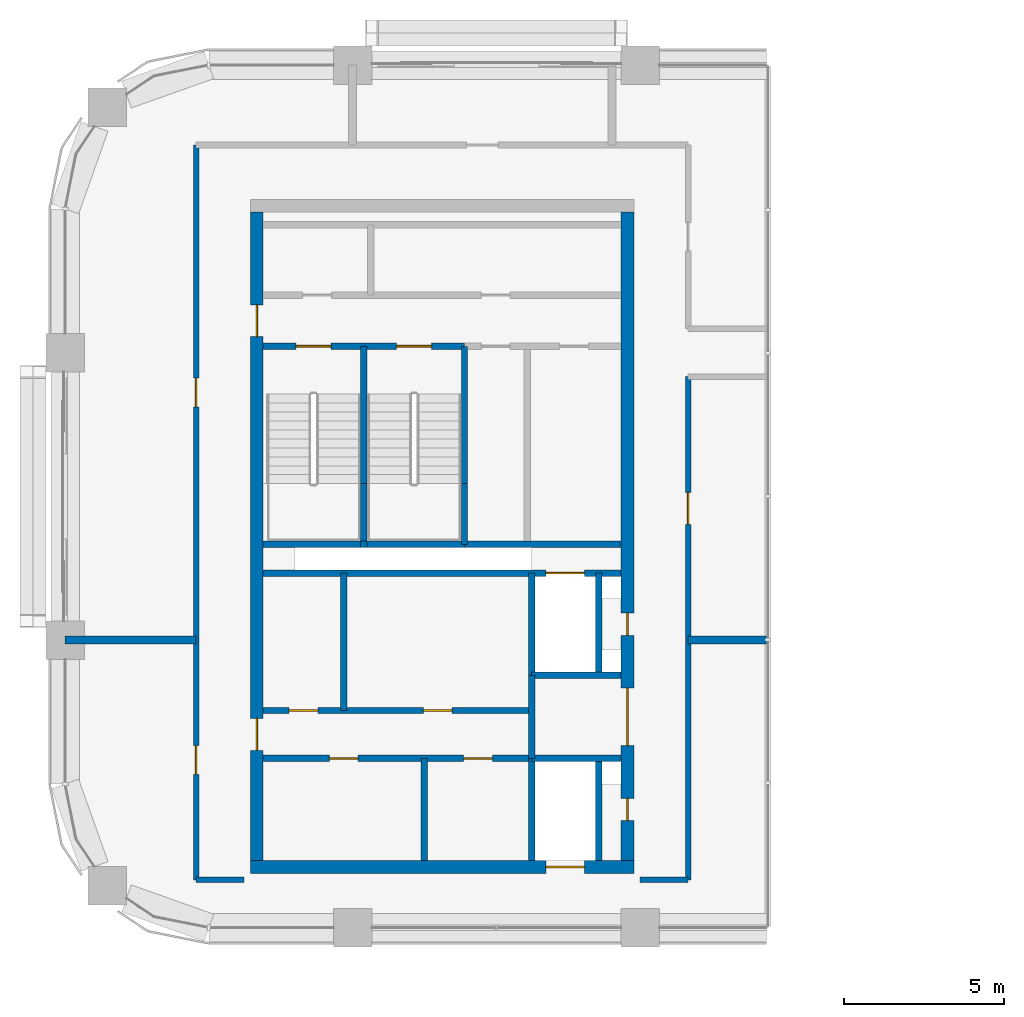
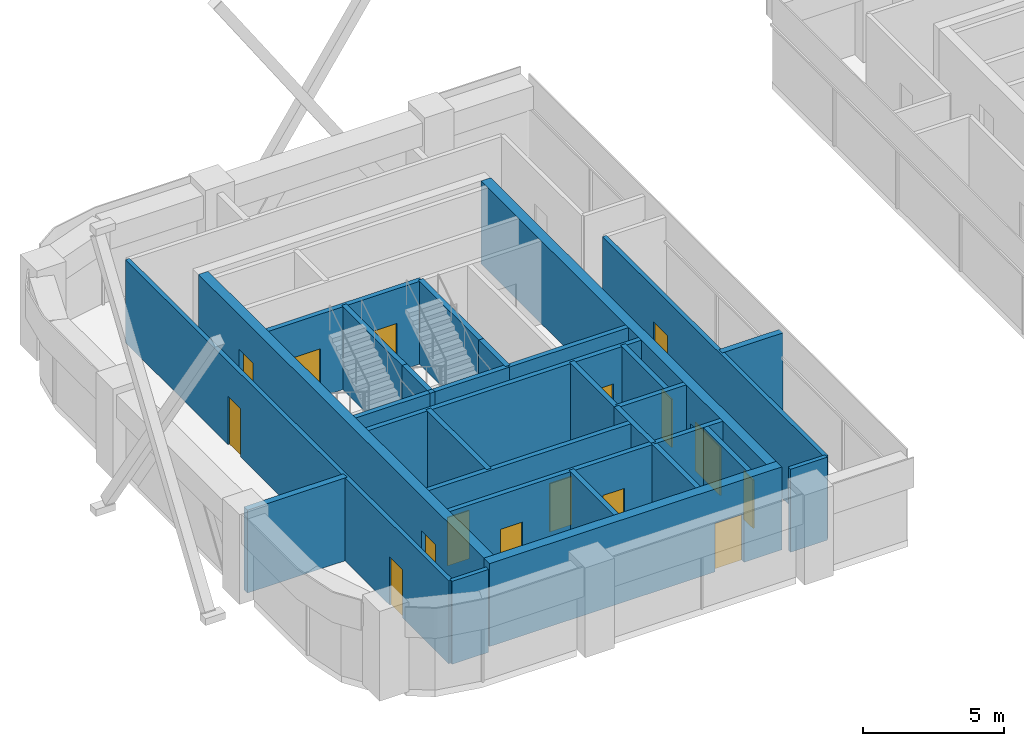
# One storey, part 9 of 14: 30 walls, 16 doors, 16 openings.
"""IFC4 building model written with IfcOpenShell, lengths in metres."""

import ifcopenshell
import ifcopenshell.guid

model = None  # the IFC model being written
_history = None  # IfcOwnerHistory: only IFC2X3 demands one
_inside = {}  # id of a spatial element -> (the spatial element, [elements in it])
_under = {}  # id of a project, library or spatial element -> (it, [spatial elements below it])
_declared = {}  # id of a project -> (the project, [libraries it declares])
_typed = {}  # id of a type object -> (the type object, [elements of that type])
_made_of = {}  # id of a material, layer set ... -> (it, [elements and type objects made of it])


def new_model(schema):
    """Start an empty IFC model of exactly this schema.

    Asked for "IFC4X3", IfcOpenShell would pick the latest addendum, in which some entities
    have other attributes; the version numbers below select the first issue.
    IFC2X3 requires an IfcOwnerHistory on every rooted entity: one is made here for all.
    """
    global model, _history
    if schema == "IFC4X3":
        model = ifcopenshell.file(schema_version=(4, 3, 0, 0))
    else:
        model = ifcopenshell.file(schema=schema)
    _inside.clear()
    _under.clear()
    _declared.clear()
    _typed.clear()
    _made_of.clear()
    _history = None
    if model.schema == "IFC2X3":
        org = make("IfcOrganization", Name="unknown")
        user = make(
            "IfcPersonAndOrganization",
            ThePerson=make("IfcPerson", FamilyName="unknown"),
            TheOrganization=org,
        )
        app = make(
            "IfcApplication",
            ApplicationDeveloper=org,
            Version="unknown",
            ApplicationFullName="unknown",
            ApplicationIdentifier="unknown",
        )
        _history = make(
            "IfcOwnerHistory",
            OwningUser=user,
            OwningApplication=app,
            ChangeAction="ADDED",
            CreationDate=0,
        )
    return model


def make(cls, **values):
    """One entity of the class cls with the attributes given. An attribute that is None is left unset."""
    return model.create_entity(
        cls, **{name: value for name, value in values.items() if value is not None}
    )


def rooted(cls, **values):
    """An entity with a GlobalId (a new one), such as an element, a storey or a relation."""
    return make(cls, GlobalId=ifcopenshell.guid.new(), OwnerHistory=_history, **values)


def si_unit(unit_type, name, prefix=None):
    """IfcSIUnit, for example si_unit("LENGTHUNIT", "METRE", prefix="MILLI")."""
    return make("IfcSIUnit", UnitType=unit_type, Prefix=prefix, Name=name)


def assignment(units):
    """IfcUnitAssignment: the units of a project."""
    return None if units is None else make("IfcUnitAssignment", Units=units)


def point(xyz):
    """IfcCartesianPoint."""
    return None if xyz is None else make("IfcCartesianPoint", Coordinates=xyz)


def direction(xyz):
    """IfcDirection."""
    return None if xyz is None else make("IfcDirection", DirectionRatios=xyz)


def frame(location, z_axis=None, x_axis=None):
    """IfcAxis2Placement3D, a coordinate frame: its origin and axes. An axis left out is left unset."""
    return make(
        "IfcAxis2Placement3D",
        Location=point(location),
        Axis=direction(z_axis),
        RefDirection=direction(x_axis),
    )


def frame_2d(location, x_axis=None):
    """IfcAxis2Placement2D, a coordinate frame in the plane: its origin and x axis."""
    return make(
        "IfcAxis2Placement2D", Location=point(location), RefDirection=direction(x_axis)
    )


def origin():
    """The frame at (0, 0, 0) with its axes left unset."""
    return frame((0.0, 0.0, 0.0))


def place(relative_to, where):
    """IfcLocalPlacement: puts the frame where relative to a parent placement (None: the world)."""
    return make(
        "IfcLocalPlacement", PlacementRelTo=relative_to, RelativePlacement=where
    )


def context(
    kind, dimensions, precision=None, world=None, true_north=None, identifier=None
):
    """IfcGeometricRepresentationContext, for example the 3D "Model" context."""
    return make(
        "IfcGeometricRepresentationContext",
        ContextIdentifier=identifier,
        ContextType=kind,
        CoordinateSpaceDimension=dimensions,
        Precision=precision,
        WorldCoordinateSystem=world,
        TrueNorth=true_north,
    )


def subcontext(parent, identifier, kind, view, scale=None):
    """IfcGeometricRepresentationSubContext, for example "Body" below "Model"."""
    return make(
        "IfcGeometricRepresentationSubContext",
        ContextIdentifier=identifier,
        ContextType=kind,
        ParentContext=parent,
        TargetScale=scale,
        TargetView=view,
    )


def project(units=None, contexts=None):
    """IfcProject with its units and contexts."""
    return rooted(
        "IfcProject",
        Name="project",
        RepresentationContexts=contexts,
        UnitsInContext=assignment(units),
    )


def spatial(cls, under=None, at=None, **own):
    """A site, building, storey or space (cls), placed at a placement, below another one or the project."""
    s = rooted(cls, ObjectPlacement=at, **own)
    if under is not None:
        _under.setdefault(under.id(), (under, []))[1].append(s)
    return s


def profile(cls, at=None, kind="AREA", **sizes):
    """A parametric profile (cls). Its sizes go by their IFC names, for example OverallWidth=200.0."""
    return make(cls, ProfileType=kind, Position=at, **sizes)


def rectangle(**sizes):
    """IfcRectangleProfileDef."""
    return profile("IfcRectangleProfileDef", **sizes)


def extrude(swept, where, along, depth):
    """IfcExtrudedAreaSolid: the profile swept, set in the frame where, extruded along a direction by depth."""
    return make(
        "IfcExtrudedAreaSolid",
        SweptArea=swept,
        Position=where,
        ExtrudedDirection=direction(along),
        Depth=depth,
    )


def shape(context_of_items, identifier, shape_type, items):
    """IfcShapeRepresentation: the items that make up one representation, for example the "Body"."""
    return make(
        "IfcShapeRepresentation",
        ContextOfItems=context_of_items,
        RepresentationIdentifier=identifier,
        RepresentationType=shape_type,
        Items=items,
    )


def material(Name=None, Category=None):
    """IfcMaterial."""
    return make("IfcMaterial", Name=Name, Category=Category)


def layer(
    of_material, thickness, ventilated=None, Name=None, Category=None, Priority=None
):
    """IfcMaterialLayer: one layer of a wall or slab, of a material (None: an air gap)."""
    return make(
        "IfcMaterialLayer",
        Material=of_material,
        LayerThickness=thickness,
        IsVentilated=ventilated,
        Name=Name,
        Category=Category,
        Priority=Priority,
    )


def layer_set(layers, Name=None):
    """IfcMaterialLayerSet."""
    return make("IfcMaterialLayerSet", MaterialLayers=layers, LayerSetName=Name)


def made_of(thing, what):
    """Note that an element or type object is made of a material, layer set ...; save() writes the relation."""
    if what is not None:
        _made_of.setdefault(what.id(), (what, []))[1].append(thing)
    return thing


def type_object(cls, material=None, **own):
    """A type object (cls), such as IfcWallType, which elements share."""
    return made_of(rooted(cls, **own), material)


def element(
    cls,
    number,
    at=None,
    inside=None,
    cuts=None,
    type_object=None,
    material=None,
    context=None,
    identifier="Body",
    shape_type=None,
    held_by="IfcProductDefinitionShape",
    body=None,
    shapes=None,
    **own,
):
    """One element of the class cls, such as IfcWall. Its Tag is "e" and its number.

    at: its placement. inside: the storey or other place that contains it. cuts: it is an
    opening in that element (IfcRelVoidsElement). A single representation is given by context,
    identifier, shape_type and body (its items); several are given by shapes. held_by: the class
    of the entity that holds the representations. save() writes the other relations.
    """
    e = rooted(cls, Tag="e%d" % number, ObjectPlacement=at, **own)
    if body is not None:
        shapes = [shape(context, identifier, shape_type, body)]
    if shapes is not None:
        e.Representation = make(held_by, Representations=shapes)
    if inside is not None:
        _inside.setdefault(inside.id(), (inside, []))[1].append(e)
    if cuts is not None:
        rooted(
            "IfcRelVoidsElement", RelatingBuildingElement=cuts, RelatedOpeningElement=e
        )
    if type_object is not None:
        _typed.setdefault(type_object.id(), (type_object, []))[1].append(e)
    return made_of(e, material)


def fill(opening, filler):
    """IfcRelFillsElement: the door or window that sits in an opening."""
    return rooted(
        "IfcRelFillsElement",
        RelatingOpeningElement=opening,
        RelatedBuildingElement=filler,
    )


def aggregate(whole, parts):
    """IfcRelAggregates: a whole, such as a stair, and the parts it consists of."""
    return rooted("IfcRelAggregates", RelatingObject=whole, RelatedObjects=parts)


def save(model, path):
    """Write the relations noted so far, then the file.

    IfcRelAggregates (storeys below a building ...), IfcRelContainedInSpatialStructure (elements
    in a storey), IfcRelDefinesByType, IfcRelAssociatesMaterial and IfcRelDeclares: one each for
    every whole, place, type object, material and project.
    """
    for whole, parts in _under.values():
        aggregate(whole, parts)
    for where, things in _inside.values():
        rooted(
            "IfcRelContainedInSpatialStructure",
            RelatedElements=things,
            RelatingStructure=where,
        )
    for kind, things in _typed.values():
        rooted("IfcRelDefinesByType", RelatedObjects=things, RelatingType=kind)
    for what, things in _made_of.values():
        rooted("IfcRelAssociatesMaterial", RelatedObjects=things, RelatingMaterial=what)
    for by, libraries in _declared.values():
        rooted("IfcRelDeclares", RelatingContext=by, RelatedDefinitions=libraries)
    model.write(path)


model = new_model("IFC4")

# Units and contexts
model_context = context("Model", 3, precision=1e-05, world=origin(), true_north=direction((0.0, 1.0)))
body_context = subcontext(model_context, "Body", "Model", "MODEL_VIEW")
ifc_project = project(units=[si_unit("LENGTHUNIT", "METRE"), si_unit("AREAUNIT", "SQUARE_METRE"), si_unit("VOLUMEUNIT", "CUBIC_METRE"), si_unit("PLANEANGLEUNIT", "RADIAN"), si_unit("MASSUNIT", "GRAM", prefix="KILO")], contexts=[model_context])

# Site, building, storey
site_placement = place(None, origin())
site = spatial("IfcSite", under=ifc_project, at=site_placement, CompositionType="ELEMENT")
building_placement = place(site_placement, origin())
building = spatial("IfcBuilding", under=site, at=building_placement, Name="Tessera Arch", CompositionType="ELEMENT")
storey_placement = place(building_placement, frame((0.0, 0.0, 215.0)))
storey = spatial("IfcBuildingStorey", under=building, at=storey_placement, Name="L51", CompositionType="ELEMENT", Elevation=215.0)

# Walls
ifc_material_1 = material(Name="Gypsum board on steel stud", Category="steel")
ifc_layer_1 = layer(ifc_material_1, 0.125)
ifc_layer_set_1 = layer_set([ifc_layer_1], Name="Core partition 125 EI 60")
wall_type_1 = type_object("IfcWallType", Name="Core partition 125 EI 60", PredefinedType="PARTITIONING", material=ifc_layer_set_1)
wall_1_placement = place(storey_placement, frame((8.719970703125, 33.800048828125, 0.0), z_axis=(0.0, 0.0, 1.0), x_axis=(0.0, 1.0, 0.0)))
element("IfcWall", 1, at=wall_1_placement, inside=storey, type_object=wall_type_1, Name="L51 C2 partition wall 1", PredefinedType="PARTITIONING", context=body_context, shape_type="SweptSolid", body=[
    extrude(rectangle(XDim=4.300048828125, YDim=0.199951171875, at=frame_2d((2.14990234375, 0.0))), origin(), (0.0, 0.0, 1.0), 3.60009765625),
])
wall_2_placement = place(storey_placement, frame((11.239990234375, 29.10009765625, 0.0), z_axis=(0.0, 0.0, 1.0), x_axis=(0.0, 1.0, 0.0)))
element("IfcWall", 2, at=wall_2_placement, inside=storey, type_object=wall_type_1, Name="L51 C2 partition wall 5", PredefinedType="PARTITIONING", context=body_context, shape_type="SweptSolid", body=[
    extrude(rectangle(XDim=3.199951171875, YDim=0.199951171875, at=frame_2d((1.60009765625, 0.0))), origin(), (0.0, 0.0, 1.0), 3.60009765625),
])
wall_3_placement = place(storey_placement, frame((14.60009765625, 32.300048828125, 0.0), z_axis=(0.0, 0.0, 1.0), x_axis=(0.0, 1.0, 0.0)))
element("IfcWall", 3, at=wall_3_placement, inside=storey, type_object=wall_type_1, Name="L51 C2 partition wall 9", PredefinedType="PARTITIONING", context=body_context, shape_type="SweptSolid", body=[
    extrude(rectangle(XDim=2.599853515625, YDim=0.199951171875, at=frame_2d((1.2998046875, 0.0))), origin(), (0.0, 0.0, 1.0), 3.60009765625),
])

# Wall, openings, doors
wall_4_placement = place(storey_placement, frame((6.199951171875, 32.300048828125, 0.0), z_axis=(0.0, 0.0, 1.0), x_axis=(1.0, 0.0, 0.0)))
wall_4 = element("IfcWall", 4, at=wall_4_placement, inside=storey, type_object=wall_type_1, Name="L51 C2 partition wall 14", PredefinedType="PARTITIONING", context=body_context, shape_type="SweptSolid", body=[
    extrude(rectangle(XDim=8.400146484375, YDim=0.199951171875, at=frame_2d((4.2001953125, 0.0))), origin(), (0.0, 0.0, 1.0), 3.60009765625),
])
opening_1_placement = place(wall_4_placement, frame((2.070068359375, 0.0, 0.0)))
opening_1 = element("IfcOpeningElement", 5, at=opening_1_placement, cuts=wall_4, Name="Opening L51-C33", PredefinedType="OPENING", context=body_context, shape_type="SweptSolid", body=[
    extrude(rectangle(XDim=0.89990234375, YDim=2.10009765625, at=frame_2d((0.449951171875, 1.050048828125))), frame((0.0, 0.10986328125, 0.0), z_axis=(0.0, -1.0, 0.0), x_axis=(1.0, 0.0, 0.0)), (0.0, 0.0, 1.0), 0.219970703125),
])
opening_2_placement = place(wall_4_placement, frame((6.27001953125, 0.0, 0.0)))
opening_2 = element("IfcOpeningElement", 6, at=opening_2_placement, cuts=wall_4, Name="Opening L51-C34", PredefinedType="OPENING", context=body_context, shape_type="SweptSolid", body=[
    extrude(rectangle(XDim=0.89990234375, YDim=2.10009765625, at=frame_2d((0.449951171875, 1.050048828125))), frame((0.0, 0.10986328125, 0.0), z_axis=(0.0, -1.0, 0.0), x_axis=(1.0, 0.0, 0.0)), (0.0, 0.0, 1.0), 0.219970703125),
])
ifc_material_2 = material(Name="Steel door leaf", Category="steel")
door_type_1 = type_object("IfcDoorType", Name="Store door FD30S 900 x 2100", OperationType="SINGLE_SWING_LEFT", PredefinedType="DOOR", material=ifc_material_2)
door_1_placement = place(opening_1_placement, origin())
door_1 = element("IfcDoor", 7, at=door_1_placement, inside=storey, type_object=door_type_1, Name="L51 C2 door 14 C33 type D09", OperationType="SINGLE_SWING_LEFT", OverallHeight=2.10009765625, OverallWidth=0.89990234375, PredefinedType="DOOR", context=body_context, shape_type="SweptSolid", body=[
    extrude(rectangle(XDim=0.89990234375, YDim=2.10009765625, at=frame_2d((0.449951171875, 1.050048828125))), frame((0.0, 0.02490234375, 0.0), z_axis=(0.0, -1.0, 0.0), x_axis=(1.0, 0.0, 0.0)), (0.0, 0.0, 1.0), 0.050048828125),
])
fill(opening_1, door_1)
door_2_placement = place(opening_2_placement, origin())
door_2 = element("IfcDoor", 8, at=door_2_placement, inside=storey, type_object=door_type_1, Name="L51 C2 door 15 C34 type D09", OperationType="SINGLE_SWING_RIGHT", OverallHeight=2.10009765625, OverallWidth=0.89990234375, PredefinedType="DOOR", context=body_context, shape_type="SweptSolid", body=[
    extrude(rectangle(XDim=0.89990234375, YDim=2.10009765625, at=frame_2d((0.449951171875, 1.050048828125))), frame((0.0, 0.02490234375, 0.0), z_axis=(0.0, -1.0, 0.0), x_axis=(1.0, 0.0, 0.0)), (0.0, 0.0, 1.0), 0.050048828125),
])
fill(opening_2, door_2)

wall_5_placement = place(storey_placement, frame((6.199951171875, 33.800048828125, 0.0), z_axis=(0.0, 0.0, 1.0), x_axis=(1.0, 0.0, 0.0)))
wall_5 = element("IfcWall", 9, at=wall_5_placement, inside=storey, type_object=wall_type_1, Name="L51 C2 partition wall 16", PredefinedType="PARTITIONING", context=body_context, shape_type="SweptSolid", body=[
    extrude(rectangle(XDim=8.400146484375, YDim=0.199951171875, at=frame_2d((4.2001953125, 0.0))), origin(), (0.0, 0.0, 1.0), 3.60009765625),
])
opening_3_placement = place(wall_5_placement, frame((0.81005859375, 0.0, 0.0)))
opening_3 = element("IfcOpeningElement", 10, at=opening_3_placement, cuts=wall_5, Name="Opening L51-C35", PredefinedType="OPENING", context=body_context, shape_type="SweptSolid", body=[
    extrude(rectangle(XDim=0.89990234375, YDim=2.10009765625, at=frame_2d((0.449951171875, 1.050048828125))), frame((0.0, 0.10986328125, 0.0), z_axis=(0.0, -1.0, 0.0), x_axis=(1.0, 0.0, 0.0)), (0.0, 0.0, 1.0), 0.219970703125),
])
opening_4_placement = place(wall_5_placement, frame((5.010009765625, 0.0, 0.0)))
opening_4 = element("IfcOpeningElement", 11, at=opening_4_placement, cuts=wall_5, Name="Opening L51-C36", PredefinedType="OPENING", context=body_context, shape_type="SweptSolid", body=[
    extrude(rectangle(XDim=0.89990234375, YDim=2.10009765625, at=frame_2d((0.449951171875, 1.050048828125))), frame((0.0, 0.10986328125, 0.0), z_axis=(0.0, -1.0, 0.0), x_axis=(1.0, 0.0, 0.0)), (0.0, 0.0, 1.0), 0.219970703125),
])
door_3_placement = place(opening_3_placement, origin())
door_3 = element("IfcDoor", 12, at=door_3_placement, inside=storey, type_object=door_type_1, Name="L51 C2 door 16 C35 type D09", OperationType="SINGLE_SWING_LEFT", OverallHeight=2.10009765625, OverallWidth=0.89990234375, PredefinedType="DOOR", context=body_context, shape_type="SweptSolid", body=[
    extrude(rectangle(XDim=0.89990234375, YDim=2.10009765625, at=frame_2d((0.449951171875, 1.050048828125))), frame((0.0, 0.02490234375, 0.0), z_axis=(0.0, -1.0, 0.0), x_axis=(1.0, 0.0, 0.0)), (0.0, 0.0, 1.0), 0.050048828125),
])
fill(opening_3, door_3)
door_4_placement = place(opening_4_placement, origin())
door_4 = element("IfcDoor", 13, at=door_4_placement, inside=storey, type_object=door_type_1, Name="L51 C2 door 17 C36 type D09", OperationType="SINGLE_SWING_RIGHT", OverallHeight=2.10009765625, OverallWidth=0.89990234375, PredefinedType="DOOR", context=body_context, shape_type="SweptSolid", body=[
    extrude(rectangle(XDim=0.89990234375, YDim=2.10009765625, at=frame_2d((0.449951171875, 1.050048828125))), frame((0.0, 0.02490234375, 0.0), z_axis=(0.0, -1.0, 0.0), x_axis=(1.0, 0.0, 0.0)), (0.0, 0.0, 1.0), 0.050048828125),
])
fill(opening_4, door_4)

# Wall, opening, door
ifc_material_3 = material(Name="Concrete C50/60", Category="concrete")
ifc_layer_2 = layer(ifc_material_3, 0.39990234375)
ifc_layer_set_2 = layer_set([ifc_layer_2], Name="Core shell wall 400 C50-60")
wall_type_2 = type_object("IfcWallType", Name="Core shell wall 400 C50-60", PredefinedType="SHEAR", material=ifc_layer_set_2)
wall_6_placement = place(storey_placement, frame((5.800048828125, 28.89990234375, 0.0), z_axis=(0.0, 0.0, 1.0), x_axis=(1.0, 0.0, 0.0)))
wall_6 = element("IfcWall", 14, at=wall_6_placement, inside=storey, type_object=wall_type_2, Name="L51 C2 core wall S", PredefinedType="SHEAR", context=body_context, shape_type="SweptSolid", body=[
    extrude(rectangle(XDim=12.0, YDim=0.39990234375, at=frame_2d((6.0, 0.0))), origin(), (0.0, 0.0, 1.0), 3.60009765625),
])
opening_5_placement = place(wall_6_placement, frame((9.25, 0.0, 0.0)))
opening_5 = element("IfcOpeningElement", 15, at=opening_5_placement, cuts=wall_6, Name="Opening L51-C20", PredefinedType="OPENING", context=body_context, shape_type="SweptSolid", body=[
    extrude(rectangle(XDim=1.199951171875, YDim=2.10009765625, at=frame_2d((0.60009765625, 1.050048828125))), frame((0.0, 0.2099609375, 0.0), z_axis=(0.0, -1.0, 0.0), x_axis=(1.0, 0.0, 0.0)), (0.0, 0.0, 1.0), 0.419921875),
])
ifc_material_4 = material(Name="Stainless steel AISI 304", Category="steel")
door_type_2 = type_object("IfcDoorType", Name="Sliding landing door 1200 x 2100", OperationType="SLIDING_TO_LEFT", PredefinedType="DOOR", material=ifc_material_4)
door_5_placement = place(opening_5_placement, origin())
door_5 = element("IfcDoor", 16, at=door_5_placement, inside=storey, type_object=door_type_2, Name="L51 HR7 lift landing door C20 type LD", OperationType="SLIDING_TO_LEFT", OverallHeight=2.10009765625, OverallWidth=1.199951171875, PredefinedType="DOOR", context=body_context, shape_type="SweptSolid", body=[
    extrude(rectangle(XDim=1.199951171875, YDim=2.10009765625, at=frame_2d((0.60009765625, 1.050048828125))), frame((0.0, 0.02490234375, 0.0), z_axis=(0.0, -1.0, 0.0), x_axis=(1.0, 0.0, 0.0)), (0.0, 0.0, 1.0), 0.050048828125),
])
fill(opening_5, door_5)

# Wall, openings, doors
wall_7_placement = place(storey_placement, frame((6.0, 29.10009765625, 0.0), z_axis=(0.0, 0.0, 1.0), x_axis=(0.0, 1.0, 0.0)))
wall_7 = element("IfcWall", 17, at=wall_7_placement, inside=storey, type_object=wall_type_2, Name="L51 C2 core wall W", PredefinedType="SHEAR", context=body_context, shape_type="SweptSolid", body=[
    extrude(rectangle(XDim=20.2998046875, YDim=0.39990234375, at=frame_2d((10.14990234375, 0.0))), origin(), (0.0, 0.0, 1.0), 3.60009765625),
])
opening_6_placement = place(wall_7_placement, frame((3.449951171875, 0.0, 0.0)))
opening_6 = element("IfcOpeningElement", 18, at=opening_6_placement, cuts=wall_7, Name="Opening L51-C27", PredefinedType="OPENING", context=body_context, shape_type="SweptSolid", body=[
    extrude(rectangle(XDim=1.0, YDim=2.10009765625, at=frame_2d((0.5, 1.050048828125))), frame((0.0, 0.2099609375, 0.0), z_axis=(0.0, -1.0, 0.0), x_axis=(1.0, 0.0, 0.0)), (0.0, 0.0, 1.0), 0.419921875),
])
opening_7_placement = place(wall_7_placement, frame((16.39990234375, 0.0, 0.0)))
opening_7 = element("IfcOpeningElement", 19, at=opening_7_placement, cuts=wall_7, Name="Opening L51-C28", PredefinedType="OPENING", context=body_context, shape_type="SweptSolid", body=[
    extrude(rectangle(XDim=1.0, YDim=2.10009765625, at=frame_2d((0.5, 1.050048828125))), frame((0.0, 0.2099609375, 0.0), z_axis=(0.0, -1.0, 0.0), x_axis=(1.0, 0.0, 0.0)), (0.0, 0.0, 1.0), 0.419921875),
])
ifc_material_5 = material(Name="Steel door leaf", Category="steel")
door_type_3 = type_object("IfcDoorType", Name="Corridor door FD60 1000 x 2100", OperationType="SINGLE_SWING_LEFT", PredefinedType="DOOR", material=ifc_material_5)
door_6_placement = place(opening_6_placement, origin())
door_6 = element("IfcDoor", 20, at=door_6_placement, inside=storey, type_object=door_type_3, Name="L51 C2 door 8 C27 type D12", OperationType="SINGLE_SWING_LEFT", OverallHeight=2.10009765625, OverallWidth=1.0, PredefinedType="DOOR", context=body_context, shape_type="SweptSolid", body=[
    extrude(rectangle(XDim=1.0, YDim=2.10009765625, at=frame_2d((0.5, 1.050048828125))), frame((0.0, 0.02490234375, 0.0), z_axis=(0.0, -1.0, 0.0), x_axis=(1.0, 0.0, 0.0)), (0.0, 0.0, 1.0), 0.050048828125),
])
fill(opening_6, door_6)
door_7_placement = place(opening_7_placement, origin())
door_7 = element("IfcDoor", 21, at=door_7_placement, inside=storey, type_object=door_type_3, Name="L51 C2 door 9 C28 type D12", OperationType="SINGLE_SWING_RIGHT", OverallHeight=2.10009765625, OverallWidth=1.0, PredefinedType="DOOR", context=body_context, shape_type="SweptSolid", body=[
    extrude(rectangle(XDim=1.0, YDim=2.10009765625, at=frame_2d((0.5, 1.050048828125))), frame((0.0, 0.02490234375, 0.0), z_axis=(0.0, -1.0, 0.0), x_axis=(1.0, 0.0, 0.0)), (0.0, 0.0, 1.0), 0.050048828125),
])
fill(opening_7, door_7)

wall_8_placement = place(storey_placement, frame((17.60009765625, 29.10009765625, 0.0), z_axis=(0.0, 0.0, 1.0), x_axis=(0.0, 1.0, 0.0)))
wall_8 = element("IfcWall", 22, at=wall_8_placement, inside=storey, type_object=wall_type_2, Name="L51 C2 core wall E", PredefinedType="SHEAR", context=body_context, shape_type="SweptSolid", body=[
    extrude(rectangle(XDim=20.2998046875, YDim=0.39990234375, at=frame_2d((10.14990234375, 0.0))), origin(), (0.0, 0.0, 1.0), 3.60009765625),
])
opening_8_placement = place(wall_8_placement, frame((1.25, 0.0, 0.0)))
opening_8 = element("IfcOpeningElement", 23, at=opening_8_placement, cuts=wall_8, Name="Opening L51-C22", PredefinedType="OPENING", context=body_context, shape_type="SweptSolid", body=[
    extrude(rectangle(XDim=0.699951171875, YDim=2.10009765625, at=frame_2d((0.35009765625, 1.050048828125))), frame((0.0, 0.2099609375, 0.0), z_axis=(0.0, -1.0, 0.0), x_axis=(1.0, 0.0, 0.0)), (0.0, 0.0, 1.0), 0.419921875),
])
opening_9_placement = place(wall_8_placement, frame((7.050048828125, 0.0, 0.0)))
opening_9 = element("IfcOpeningElement", 24, at=opening_9_placement, cuts=wall_8, Name="Opening L51-C23", PredefinedType="OPENING", context=body_context, shape_type="SweptSolid", body=[
    extrude(rectangle(XDim=0.699951171875, YDim=2.10009765625, at=frame_2d((0.35009765625, 1.050048828125))), frame((0.0, 0.2099609375, 0.0), z_axis=(0.0, -1.0, 0.0), x_axis=(1.0, 0.0, 0.0)), (0.0, 0.0, 1.0), 0.419921875),
])
opening_10_placement = place(wall_8_placement, frame((3.60009765625, 0.0, 0.0)))
opening_10 = element("IfcOpeningElement", 25, at=opening_10_placement, cuts=wall_8, Name="Opening L51-C26", PredefinedType="OPENING", context=body_context, shape_type="SweptSolid", body=[
    extrude(rectangle(XDim=1.800048828125, YDim=2.10009765625, at=frame_2d((0.89990234375, 1.050048828125))), frame((0.0, 0.2099609375, 0.0), z_axis=(0.0, -1.0, 0.0), x_axis=(1.0, 0.0, 0.0)), (0.0, 0.0, 1.0), 0.419921875),
])
ifc_material_6 = material(Name="Glazed steel door leaf", Category="steel")
door_type_4 = type_object("IfcDoorType", Name="Lobby double door FD30S 1800 x 2100", OperationType="DOUBLE_DOOR_SINGLE_SWING", PredefinedType="DOOR", material=ifc_material_6)
door_8_placement = place(opening_10_placement, origin())
door_8 = element("IfcDoor", 26, at=door_8_placement, inside=storey, type_object=door_type_4, Name="L51 C2 door 7 C26 type D06", OperationType="DOUBLE_DOOR_SINGLE_SWING", OverallHeight=2.10009765625, OverallWidth=1.800048828125, PredefinedType="DOOR", context=body_context, shape_type="SweptSolid", body=[
    extrude(rectangle(XDim=1.800048828125, YDim=2.10009765625, at=frame_2d((0.89990234375, 1.050048828125))), frame((0.0, 0.02490234375, 0.0), z_axis=(0.0, -1.0, 0.0), x_axis=(1.0, 0.0, 0.0)), (0.0, 0.0, 1.0), 0.050048828125),
])
fill(opening_10, door_8)
ifc_material_7 = material(Name="Steel door leaf", Category="steel")
door_type_5 = type_object("IfcDoorType", Name="Service shaft door FD60 700 x 2100", OperationType="SINGLE_SWING_LEFT", PredefinedType="DOOR", material=ifc_material_7)
door_9_placement = place(opening_8_placement, origin())
door_9 = element("IfcDoor", 27, at=door_9_placement, inside=storey, type_object=door_type_5, Name="L51 C2 door 3 C22 type D07", OperationType="SINGLE_SWING_LEFT", OverallHeight=2.10009765625, OverallWidth=0.699951171875, PredefinedType="DOOR", context=body_context, shape_type="SweptSolid", body=[
    extrude(rectangle(XDim=0.699951171875, YDim=2.10009765625, at=frame_2d((0.35009765625, 1.050048828125))), frame((0.0, 0.02490234375, 0.0), z_axis=(0.0, -1.0, 0.0), x_axis=(1.0, 0.0, 0.0)), (0.0, 0.0, 1.0), 0.050048828125),
])
fill(opening_8, door_9)
door_10_placement = place(opening_9_placement, origin())
door_10 = element("IfcDoor", 28, at=door_10_placement, inside=storey, type_object=door_type_5, Name="L51 C2 door 4 C23 type D07", OperationType="SINGLE_SWING_LEFT", OverallHeight=2.10009765625, OverallWidth=0.699951171875, PredefinedType="DOOR", context=body_context, shape_type="SweptSolid", body=[
    extrude(rectangle(XDim=0.699951171875, YDim=2.10009765625, at=frame_2d((0.35009765625, 1.050048828125))), frame((0.0, 0.02490234375, 0.0), z_axis=(0.0, -1.0, 0.0), x_axis=(1.0, 0.0, 0.0)), (0.0, 0.0, 1.0), 0.050048828125),
])
fill(opening_9, door_10)

# Walls
ifc_material_8 = material(Name="Gypsum board on deep steel stud with mineral wool", Category="steel")
ifc_layer_3 = layer(ifc_material_8, 0.175048828125)
ifc_layer_set_3 = layer_set([ifc_layer_3], Name="Corridor wall 175 EI 60")
wall_type_3 = type_object("IfcWallType", Name="Corridor wall 175 EI 60", PredefinedType="PARTITIONING", material=ifc_layer_set_3)
for number, where, z_axis, x_axis, name in (
    (29, (4.10009765625, 28.5, 0.0), (0.0, 0.0, 1.0), (1.0, 0.0, 0.0), "L51 partition 1"),
    (30, (18.0, 28.5, 0.0), (0.0, 0.0, 1.0), (1.0, 0.0, 0.0), "L51 partition 2"),
):
    element("IfcWall", number, at=place(storey_placement, frame(where, z_axis=z_axis, x_axis=x_axis)), inside=storey, type_object=wall_type_3, Name=name, PredefinedType="PARTITIONING", context=body_context, shape_type="SweptSolid", body=[
        extrude(rectangle(XDim=1.5, YDim=0.175048828125, at=frame_2d((0.75, 0.0))), origin(), (0.0, 0.0, 1.0), 3.60009765625),
    ])

# Wall, openings, doors
wall_9_placement = place(storey_placement, frame((4.10009765625, 28.5, 0.0), z_axis=(0.0, 0.0, 1.0), x_axis=(0.0, 1.0, 0.0)))
wall_9 = element("IfcWall", 31, at=wall_9_placement, inside=storey, type_object=wall_type_3, Name="L51 partition 11", PredefinedType="PARTITIONING", context=body_context, shape_type="SweptSolid", body=[
    extrude(rectangle(XDim=23.0, YDim=0.175048828125, at=frame_2d((11.5, 0.0))), origin(), (0.0, 0.0, 1.0), 3.60009765625),
])
opening_11_placement = place(wall_9_placement, frame((3.300048828125, 0.0, 0.0)))
opening_11 = element("IfcOpeningElement", 32, at=opening_11_placement, cuts=wall_9, Name="Opening L51-D001", PredefinedType="OPENING", context=body_context, shape_type="SweptSolid", body=[
    extrude(rectangle(XDim=0.89990234375, YDim=2.10009765625, at=frame_2d((0.449951171875, 1.050048828125))), frame((0.0, 0.097412109375, 0.0), z_axis=(0.0, -1.0, 0.0), x_axis=(1.0, 0.0, 0.0)), (0.0, 0.0, 1.0), 0.195068359375),
])
opening_12_placement = place(wall_9_placement, frame((14.800048828125, 0.0, 0.0)))
opening_12 = element("IfcOpeningElement", 33, at=opening_12_placement, cuts=wall_9, Name="Opening L51-D005", PredefinedType="OPENING", context=body_context, shape_type="SweptSolid", body=[
    extrude(rectangle(XDim=0.89990234375, YDim=2.10009765625, at=frame_2d((0.449951171875, 1.050048828125))), frame((0.0, 0.097412109375, 0.0), z_axis=(0.0, -1.0, 0.0), x_axis=(1.0, 0.0, 0.0)), (0.0, 0.0, 1.0), 0.195068359375),
])
ifc_material_9 = material(Name="Timber door leaf", Category="wood")
door_type_6 = type_object("IfcDoorType", Name="Room door 900 x 2100", OperationType="SINGLE_SWING_LEFT", PredefinedType="DOOR", material=ifc_material_9)
door_11_placement = place(opening_11_placement, origin())
door_11 = element("IfcDoor", 34, at=door_11_placement, inside=storey, type_object=door_type_6, Name="L51 door D001 type D01", OperationType="SINGLE_SWING_LEFT", OverallHeight=2.10009765625, OverallWidth=0.89990234375, PredefinedType="DOOR", context=body_context, shape_type="SweptSolid", body=[
    extrude(rectangle(XDim=0.89990234375, YDim=2.10009765625, at=frame_2d((0.449951171875, 1.050048828125))), frame((0.0, 0.02490234375, 0.0), z_axis=(0.0, -1.0, 0.0), x_axis=(1.0, 0.0, 0.0)), (0.0, 0.0, 1.0), 0.050048828125),
])
fill(opening_11, door_11)
door_12_placement = place(opening_12_placement, origin())
door_12 = element("IfcDoor", 35, at=door_12_placement, inside=storey, type_object=door_type_6, Name="L51 door D005 type D01", OperationType="SINGLE_SWING_LEFT", OverallHeight=2.10009765625, OverallWidth=0.89990234375, PredefinedType="DOOR", context=body_context, shape_type="SweptSolid", body=[
    extrude(rectangle(XDim=0.89990234375, YDim=2.10009765625, at=frame_2d((0.449951171875, 1.050048828125))), frame((0.0, 0.02490234375, 0.0), z_axis=(0.0, -1.0, 0.0), x_axis=(1.0, 0.0, 0.0)), (0.0, 0.0, 1.0), 0.050048828125),
])
fill(opening_12, door_12)

# Wall, opening, door
wall_10_placement = place(storey_placement, frame((19.5, 28.5, 0.0), z_axis=(0.0, 0.0, 1.0), x_axis=(0.0, 1.0, 0.0)))
wall_10 = element("IfcWall", 36, at=wall_10_placement, inside=storey, type_object=wall_type_3, Name="L51 partition 12", PredefinedType="PARTITIONING", context=body_context, shape_type="SweptSolid", body=[
    extrude(rectangle(XDim=15.75, YDim=0.175048828125, at=frame_2d((7.875, 0.0))), origin(), (0.0, 0.0, 1.0), 3.60009765625),
])
opening_13_placement = place(wall_10_placement, frame((11.125, 0.0, 0.0)))
opening_13 = element("IfcOpeningElement", 37, at=opening_13_placement, cuts=wall_10, Name="Opening L51-D003", PredefinedType="OPENING", context=body_context, shape_type="SweptSolid", body=[
    extrude(rectangle(XDim=1.0, YDim=2.10009765625, at=frame_2d((0.5, 1.050048828125))), frame((0.0, 0.097412109375, 0.0), z_axis=(0.0, -1.0, 0.0), x_axis=(1.0, 0.0, 0.0)), (0.0, 0.0, 1.0), 0.195068359375),
])
ifc_material_10 = material(Name="Fire-rated door leaf")
door_type_7 = type_object("IfcDoorType", Name="Entrance door FD30S 1000 x 2100", OperationType="SINGLE_SWING_LEFT", PredefinedType="DOOR", material=ifc_material_10)
door_13_placement = place(opening_13_placement, origin())
door_13 = element("IfcDoor", 38, at=door_13_placement, inside=storey, type_object=door_type_7, Name="L51 door D003 type D03", OperationType="SINGLE_SWING_RIGHT", OverallHeight=2.10009765625, OverallWidth=1.0, PredefinedType="DOOR", context=body_context, shape_type="SweptSolid", body=[
    extrude(rectangle(XDim=1.0, YDim=2.10009765625, at=frame_2d((0.5, 1.050048828125))), frame((0.0, 0.02490234375, 0.0), z_axis=(0.0, -1.0, 0.0), x_axis=(1.0, 0.0, 0.0)), (0.0, 0.0, 1.0), 0.050048828125),
])
fill(opening_13, door_13)

# Walls
ifc_material_11 = material(Name="Double gypsum board on twin steel stud with acoustic mineral wool", Category="steel")
ifc_layer_4 = layer(ifc_material_11, 0.25)
ifc_layer_set_4 = layer_set([ifc_layer_4], Name="Party wall 250 EI 60")
wall_type_4 = type_object("IfcWallType", Name="Party wall 250 EI 60", PredefinedType="PARTITIONING", material=ifc_layer_set_4)
wall_11_placement = place(storey_placement, frame((0.0, 36.0, 0.0), z_axis=(0.0, 0.0, 1.0), x_axis=(1.0, 0.0, 0.0)))
element("IfcWall", 39, at=wall_11_placement, inside=storey, type_object=wall_type_4, Name="L51 partition 17", PredefinedType="PARTITIONING", context=body_context, shape_type="SweptSolid", body=[
    extrude(rectangle(XDim=4.10009765625, YDim=0.25, at=frame_2d((2.050048828125, 0.0))), origin(), (0.0, 0.0, 1.0), 3.60009765625),
])
wall_12_placement = place(storey_placement, frame((19.5, 36.0, 0.0), z_axis=(0.0, 0.0, 1.0), x_axis=(1.0, 0.0, 0.0)))
element("IfcWall", 40, at=wall_12_placement, inside=storey, type_object=wall_type_4, Name="L51 partition 18", PredefinedType="PARTITIONING", context=body_context, shape_type="SweptSolid", body=[
    extrude(rectangle(XDim=2.5, YDim=0.25, at=frame_2d((1.25, 0.0))), origin(), (0.0, 0.0, 1.0), 3.60009765625),
])
ifc_material_12 = material(Name="Concrete C40/50", Category="concrete")
ifc_layer_5 = layer(ifc_material_12, 0.199951171875)
ifc_layer_set_5 = layer_set([ifc_layer_5], Name="Shaft wall 200 EI 120")
wall_type_5 = type_object("IfcWallType", Name="Shaft wall 200 EI 120", PredefinedType="SOLIDWALL", material=ifc_layer_set_5)
wall_13_placement = place(storey_placement, frame((14.60009765625, 29.10009765625, 0.0), z_axis=(0.0, 0.0, 1.0), x_axis=(0.0, 1.0, 0.0)))
element("IfcWall", 41, at=wall_13_placement, inside=storey, type_object=wall_type_5, Name="L51 C2 shaft wall 10", PredefinedType="SOLIDWALL", context=body_context, shape_type="SweptSolid", body=[
    extrude(rectangle(XDim=3.199951171875, YDim=0.199951171875, at=frame_2d((1.60009765625, 0.0))), origin(), (0.0, 0.0, 1.0), 3.60009765625),
])
wall_14_placement = place(storey_placement, frame((14.60009765625, 34.89990234375, 0.0), z_axis=(0.0, 0.0, 1.0), x_axis=(0.0, 1.0, 0.0)))
element("IfcWall", 42, at=wall_14_placement, inside=storey, type_object=wall_type_5, Name="L51 C2 shaft wall 11", PredefinedType="SOLIDWALL", context=body_context, shape_type="SweptSolid", body=[
    extrude(rectangle(XDim=3.2001953125, YDim=0.199951171875, at=frame_2d((1.60009765625, 0.0))), origin(), (0.0, 0.0, 1.0), 3.60009765625),
])
wall_15_placement = place(storey_placement, frame((16.699951171875, 29.10009765625, 0.0), z_axis=(0.0, 0.0, 1.0), x_axis=(0.0, 1.0, 0.0)))
element("IfcWall", 43, at=wall_15_placement, inside=storey, type_object=wall_type_5, Name="L51 C2 shaft wall 12", PredefinedType="SOLIDWALL", context=body_context, shape_type="SweptSolid", body=[
    extrude(rectangle(XDim=3.199951171875, YDim=0.199951171875, at=frame_2d((1.60009765625, 0.0))), origin(), (0.0, 0.0, 1.0), 3.60009765625),
])
wall_16_placement = place(storey_placement, frame((16.699951171875, 34.89990234375, 0.0), z_axis=(0.0, 0.0, 1.0), x_axis=(0.0, 1.0, 0.0)))
element("IfcWall", 44, at=wall_16_placement, inside=storey, type_object=wall_type_5, Name="L51 C2 shaft wall 13", PredefinedType="SOLIDWALL", context=body_context, shape_type="SweptSolid", body=[
    extrude(rectangle(XDim=3.2001953125, YDim=0.199951171875, at=frame_2d((1.60009765625, 0.0))), origin(), (0.0, 0.0, 1.0), 3.60009765625),
])
for number, where, z_axis, x_axis, name in (
    (45, (14.60009765625, 32.300048828125, 0.0), (0.0, 0.0, 1.0), (1.0, 0.0, 0.0), "L51 C2 shaft wall 15"),
    (46, (14.60009765625, 34.89990234375, 0.0), (0.0, 0.0, 1.0), (1.0, 0.0, 0.0), "L51 C2 shaft wall 17"),
):
    element("IfcWall", number, at=place(storey_placement, frame(where, z_axis=z_axis, x_axis=x_axis)), inside=storey, type_object=wall_type_5, Name=name, PredefinedType="SOLIDWALL", context=body_context, shape_type="SweptSolid", body=[
        extrude(rectangle(XDim=2.7998046875, YDim=0.199951171875, at=frame_2d((1.39990234375, 0.0))), origin(), (0.0, 0.0, 1.0), 3.60009765625),
    ])

# Wall, opening, door
wall_17_placement = place(storey_placement, frame((6.199951171875, 38.10009765625, 0.0), z_axis=(0.0, 0.0, 1.0), x_axis=(1.0, 0.0, 0.0)))
wall_17 = element("IfcWall", 47, at=wall_17_placement, inside=storey, type_object=wall_type_5, Name="L51 C2 shaft wall 18", PredefinedType="SOLIDWALL", context=body_context, shape_type="SweptSolid", body=[
    extrude(rectangle(XDim=11.199951171875, YDim=0.199951171875, at=frame_2d((5.60009765625, 0.0))), origin(), (0.0, 0.0, 1.0), 3.60009765625),
])
opening_14_placement = place(wall_17_placement, frame((8.85009765625, 0.0, 0.0)))
opening_14 = element("IfcOpeningElement", 48, at=opening_14_placement, cuts=wall_17, Name="Opening L51-C21", PredefinedType="OPENING", context=body_context, shape_type="SweptSolid", body=[
    extrude(rectangle(XDim=1.199951171875, YDim=2.10009765625, at=frame_2d((0.60009765625, 1.050048828125))), frame((0.0, 0.10986328125, 0.0), z_axis=(0.0, -1.0, 0.0), x_axis=(1.0, 0.0, 0.0)), (0.0, 0.0, 1.0), 0.219970703125),
])
door_14_placement = place(opening_14_placement, origin())
door_14 = element("IfcDoor", 49, at=door_14_placement, inside=storey, type_object=door_type_2, Name="L51 HR8 lift landing door C21 type LD", OperationType="SLIDING_TO_LEFT", OverallHeight=2.10009765625, OverallWidth=1.199951171875, PredefinedType="DOOR", context=body_context, shape_type="SweptSolid", body=[
    extrude(rectangle(XDim=1.199951171875, YDim=2.10009765625, at=frame_2d((0.60009765625, 1.050048828125))), frame((0.0, 0.02490234375, 0.0), z_axis=(0.0, -1.0, 0.0), x_axis=(1.0, 0.0, 0.0)), (0.0, 0.0, 1.0), 0.050048828125),
])
fill(opening_14, door_14)

# Walls
wall_18_placement = place(storey_placement, frame((12.5, 39.0, 0.0), z_axis=(0.0, 0.0, 1.0), x_axis=(1.0, 0.0, 0.0)))
element("IfcWall", 50, at=wall_18_placement, inside=storey, type_object=wall_type_5, Name="L51 C2 shaft wall 19", PredefinedType="SOLIDWALL", context=body_context, shape_type="SweptSolid", body=[
    extrude(rectangle(XDim=4.89990234375, YDim=0.199951171875, at=frame_2d((2.449951171875, 0.0))), origin(), (0.0, 0.0, 1.0), 3.60009765625),
])
ifc_material_13 = material(Name="Concrete C40/50", Category="concrete")
ifc_layer_6 = layer(ifc_material_13, 0.199951171875)
ifc_layer_set_6 = layer_set([ifc_layer_6], Name="Stair well wall 200 REI 180")
wall_type_6 = type_object("IfcWallType", Name="Stair well wall 200 REI 180", PredefinedType="SOLIDWALL", material=ifc_layer_set_6)
wall_19_placement = place(storey_placement, frame((9.35009765625, 39.0, 0.0), z_axis=(0.0, 0.0, 1.0), x_axis=(0.0, 1.0, 0.0)))
element("IfcWall", 51, at=wall_19_placement, inside=storey, type_object=wall_type_6, Name="L51 C2 shaft wall 2", PredefinedType="SOLIDWALL", context=body_context, shape_type="SweptSolid", body=[
    extrude(rectangle(XDim=1.89990234375, YDim=0.199951171875, at=frame_2d((0.949951171875, 0.0))), origin(), (0.0, 0.0, 1.0), 3.60009765625),
])
wall_20_placement = place(storey_placement, frame((9.35009765625, 40.89990234375, 0.0), z_axis=(0.0, 0.0, 1.0), x_axis=(0.0, 1.0, 0.0)))
element("IfcWall", 52, at=wall_20_placement, inside=storey, type_object=wall_type_6, Name="L51 C2 shaft wall 3", PredefinedType="SOLIDWALL", context=body_context, shape_type="SweptSolid", body=[
    extrude(rectangle(XDim=4.300048828125, YDim=0.199951171875, at=frame_2d((2.14990234375, 0.0))), origin(), (0.0, 0.0, 1.0), 3.60009765625),
])
wall_21_placement = place(storey_placement, frame((12.5, 39.0, 0.0), z_axis=(0.0, 0.0, 1.0), x_axis=(0.0, 1.0, 0.0)))
element("IfcWall", 53, at=wall_21_placement, inside=storey, type_object=wall_type_6, Name="L51 C2 shaft wall 6", PredefinedType="SOLIDWALL", context=body_context, shape_type="SweptSolid", body=[
    extrude(rectangle(XDim=1.89990234375, YDim=0.199951171875, at=frame_2d((0.949951171875, 0.0))), origin(), (0.0, 0.0, 1.0), 3.60009765625),
])
wall_22_placement = place(storey_placement, frame((12.5, 40.89990234375, 0.0), z_axis=(0.0, 0.0, 1.0), x_axis=(0.0, 1.0, 0.0)))
element("IfcWall", 54, at=wall_22_placement, inside=storey, type_object=wall_type_6, Name="L51 C2 shaft wall 7", PredefinedType="SOLIDWALL", context=body_context, shape_type="SweptSolid", body=[
    extrude(rectangle(XDim=4.300048828125, YDim=0.199951171875, at=frame_2d((2.14990234375, 0.0))), origin(), (0.0, 0.0, 1.0), 3.60009765625),
])
wall_23_placement = place(storey_placement, frame((6.199951171875, 39.0, 0.0), z_axis=(0.0, 0.0, 1.0), x_axis=(1.0, 0.0, 0.0)))
element("IfcWall", 55, at=wall_23_placement, inside=storey, type_object=wall_type_6, Name="L51 C2 shaft wall 20", PredefinedType="SOLIDWALL", context=body_context, shape_type="SweptSolid", body=[
    extrude(rectangle(XDim=3.050048828125, YDim=0.199951171875, at=frame_2d((1.52490234375, 0.0))), origin(), (0.0, 0.0, 1.0), 3.60009765625),
])
wall_24_placement = place(storey_placement, frame((9.25, 39.0, 0.0), z_axis=(0.0, 0.0, 1.0), x_axis=(1.0, 0.0, 0.0)))
element("IfcWall", 56, at=wall_24_placement, inside=storey, type_object=wall_type_6, Name="L51 C2 shaft wall 21", PredefinedType="SOLIDWALL", context=body_context, shape_type="SweptSolid", body=[
    extrude(rectangle(XDim=0.199951171875, YDim=0.199951171875, at=frame_2d((0.10009765625, 0.0))), origin(), (0.0, 0.0, 1.0), 3.60009765625),
])
wall_25_placement = place(storey_placement, frame((9.449951171875, 39.0, 0.0), z_axis=(0.0, 0.0, 1.0), x_axis=(1.0, 0.0, 0.0)))
element("IfcWall", 57, at=wall_25_placement, inside=storey, type_object=wall_type_6, Name="L51 C2 shaft wall 22", PredefinedType="SOLIDWALL", context=body_context, shape_type="SweptSolid", body=[
    extrude(rectangle(XDim=3.050048828125, YDim=0.199951171875, at=frame_2d((1.52490234375, 0.0))), origin(), (0.0, 0.0, 1.0), 3.60009765625),
])

# Wall, openings, doors
wall_26_placement = place(storey_placement, frame((6.199951171875, 45.199951171875, 0.0), z_axis=(0.0, 0.0, 1.0), x_axis=(1.0, 0.0, 0.0)))
wall_26 = element("IfcWall", 58, at=wall_26_placement, inside=storey, type_object=wall_type_6, Name="L51 C2 shaft wall 24", PredefinedType="SOLIDWALL", context=body_context, shape_type="SweptSolid", body=[
    extrude(rectangle(XDim=6.300048828125, YDim=0.199951171875, at=frame_2d((3.14990234375, 0.0))), origin(), (0.0, 0.0, 1.0), 3.60009765625),
])
opening_15_placement = place(wall_26_placement, frame((1.02490234375, 0.0, 0.0)))
opening_15 = element("IfcOpeningElement", 59, at=opening_15_placement, cuts=wall_26, Name="Opening L51-C24", PredefinedType="OPENING", context=body_context, shape_type="SweptSolid", body=[
    extrude(rectangle(XDim=1.10009765625, YDim=2.10009765625, at=frame_2d((0.550048828125, 1.050048828125))), frame((0.0, 0.10986328125, 0.0), z_axis=(0.0, -1.0, 0.0), x_axis=(1.0, 0.0, 0.0)), (0.0, 0.0, 1.0), 0.219970703125),
])
opening_16_placement = place(wall_26_placement, frame((4.175048828125, 0.0, 0.0)))
opening_16 = element("IfcOpeningElement", 60, at=opening_16_placement, cuts=wall_26, Name="Opening L51-C25", PredefinedType="OPENING", context=body_context, shape_type="SweptSolid", body=[
    extrude(rectangle(XDim=1.10009765625, YDim=2.10009765625, at=frame_2d((0.550048828125, 1.050048828125))), frame((0.0, 0.10986328125, 0.0), z_axis=(0.0, -1.0, 0.0), x_axis=(1.0, 0.0, 0.0)), (0.0, 0.0, 1.0), 0.219970703125),
])
ifc_material_14 = material(Name="Steel door leaf", Category="steel")
door_type_8 = type_object("IfcDoorType", Name="Stair door FD60 1100 x 2100", OperationType="SINGLE_SWING_LEFT", PredefinedType="DOOR", material=ifc_material_14)
door_15_placement = place(opening_15_placement, origin())
door_15 = element("IfcDoor", 61, at=door_15_placement, inside=storey, type_object=door_type_8, Name="L51 C2 door 5 C24 type D05", OperationType="SINGLE_SWING_LEFT", OverallHeight=2.10009765625, OverallWidth=1.10009765625, PredefinedType="DOOR", context=body_context, shape_type="SweptSolid", body=[
    extrude(rectangle(XDim=1.10009765625, YDim=2.10009765625, at=frame_2d((0.550048828125, 1.050048828125))), frame((0.0, 0.02490234375, 0.0), z_axis=(0.0, -1.0, 0.0), x_axis=(1.0, 0.0, 0.0)), (0.0, 0.0, 1.0), 0.050048828125),
])
fill(opening_15, door_15)
door_16_placement = place(opening_16_placement, origin())
door_16 = element("IfcDoor", 62, at=door_16_placement, inside=storey, type_object=door_type_8, Name="L51 C2 door 6 C25 type D05", OperationType="SINGLE_SWING_RIGHT", OverallHeight=2.10009765625, OverallWidth=1.10009765625, PredefinedType="DOOR", context=body_context, shape_type="SweptSolid", body=[
    extrude(rectangle(XDim=1.10009765625, YDim=2.10009765625, at=frame_2d((0.550048828125, 1.050048828125))), frame((0.0, 0.02490234375, 0.0), z_axis=(0.0, -1.0, 0.0), x_axis=(1.0, 0.0, 0.0)), (0.0, 0.0, 1.0), 0.050048828125),
])
fill(opening_16, door_16)

save(model, "model.ifc")
